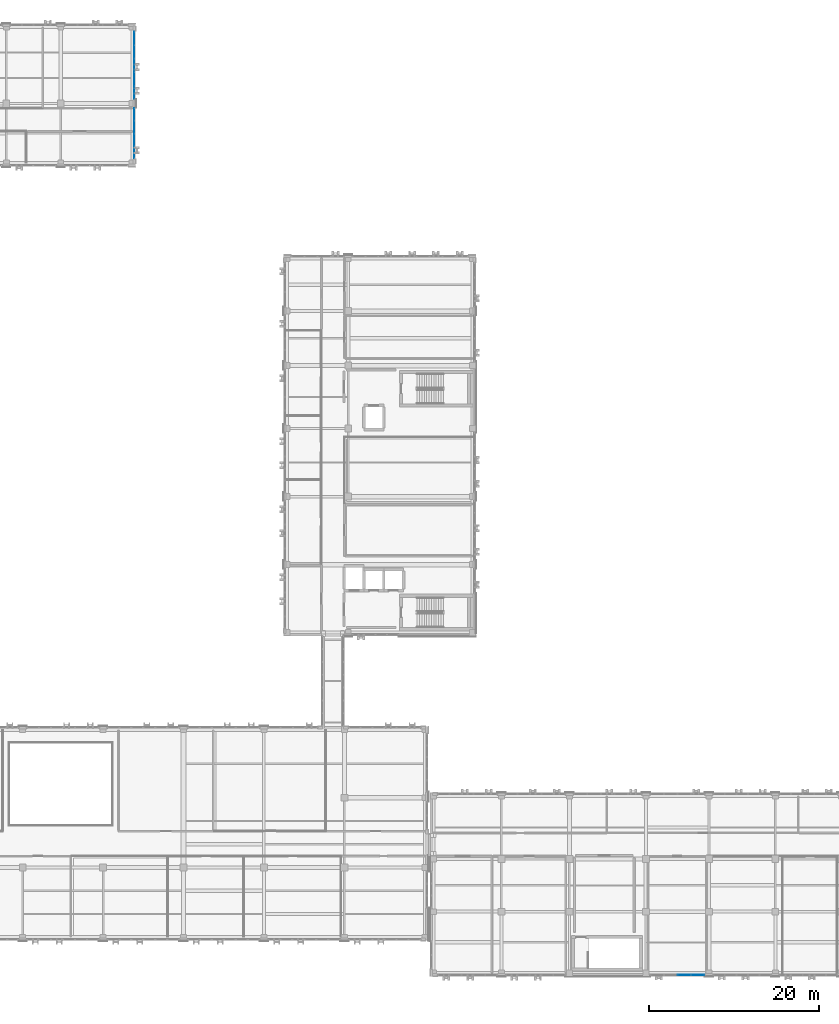
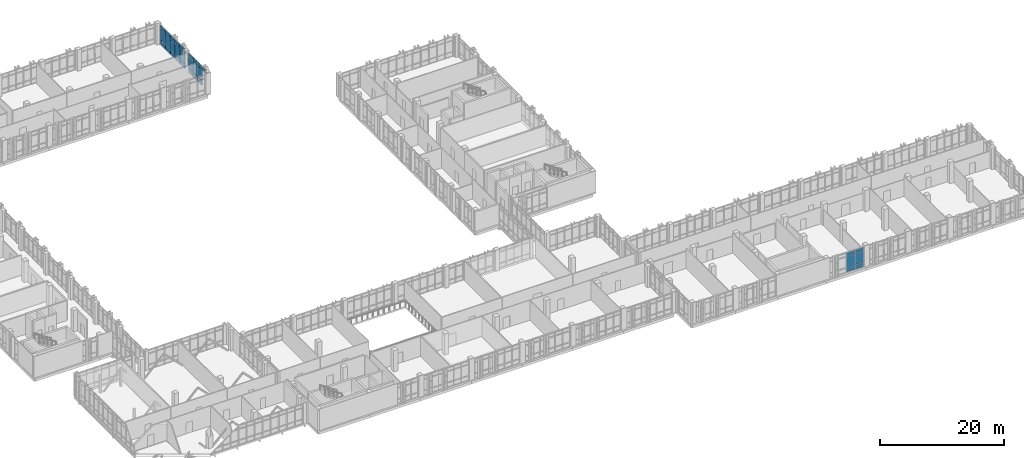
# One storey, part 149 of 193: 31 plates, 3 elements without a shape of their own.
"""IFC4 building model written with IfcOpenShell, lengths in metres."""

from ifc_helpers import new_model, si_unit, direction, frame, origin, origin_2d, place, context, subcontext, project, spatial, rectangle, extrude, material, layer, layer_set, type_object, element, aggregate, save


model = new_model("IFC4")

# Units and contexts
model_context = context("Model", 3, precision=1e-05, world=origin(), true_north=direction((0.0, 1.0)))
body_context = subcontext(model_context, "Body", "Model", "MODEL_VIEW")
ifc_project = project(units=[si_unit("LENGTHUNIT", "METRE"), si_unit("AREAUNIT", "SQUARE_METRE"), si_unit("VOLUMEUNIT", "CUBIC_METRE"), si_unit("PLANEANGLEUNIT", "RADIAN"), si_unit("MASSUNIT", "GRAM", prefix="KILO")], contexts=[model_context])

# Site, building, storey
site_placement = place(None, origin())
site = spatial("IfcSite", under=ifc_project, at=site_placement, CompositionType="ELEMENT")
building_placement = place(site_placement, origin())
building = spatial("IfcBuilding", under=site, at=building_placement, Name="Qalavern Law Courts", CompositionType="ELEMENT")
storey_placement = place(building_placement, frame((0.0, 0.0, 10.199951171875)))
storey = spatial("IfcBuildingStorey", under=building, at=storey_placement, Name="L02", CompositionType="ELEMENT", Elevation=10.199951171875)

# Curtain wall, plates
ifc_material_1 = material(Name="Anodised aluminium and insulated glazing", Category="aluminium")
ifc_layer_1 = layer(ifc_material_1, 0.172119140625)
ifc_layer_set_1 = layer_set([ifc_layer_1], Name="Anodised aluminium and insulated glazing")
curtain_wall_type_1 = type_object("IfcCurtainWallType", Name="ENV-CW-COURT", PredefinedType="USERDEFINED", material=ifc_layer_set_1)
curtain_wall_1_placement = place(storey_placement, origin())
curtain_wall_1 = element("IfcCurtainWall", 1, at=curtain_wall_1_placement, inside=storey, type_object=curtain_wall_type_1, Name="V6 unitised curtain wall L02 south 3", ObjectType="UNITISED CURTAIN WALL", PredefinedType="USERDEFINED")
ifc_material_2 = material(Name="Insulated low-E acoustic glazing", Category="glass")
ifc_layer_2 = layer(ifc_material_2, 0.02392578125)
ifc_layer_set_2 = layer_set([ifc_layer_2], Name="Insulated low-E acoustic glazing")
plate_type_1 = type_object("IfcPlateType", Name="ENV-CWP-24", PredefinedType="CURTAIN_PANEL", material=ifc_layer_set_2)
plate_1_placement = place(storey_placement, frame((131.300048828125, 1.155029296875, 0.048095703125), z_axis=(0.0, 0.0, 1.0), x_axis=(1.0, 0.0, 0.0)))
plate_1 = element("IfcPlate", 2, at=plate_1_placement, type_object=plate_type_1, Name="CW-03 panel 3.1", PredefinedType="CURTAIN_PANEL", context=body_context, shape_type="SweptSolid", body=[
    extrude(rectangle(XDim=1.552001953125, YDim=0.02392578125, at=origin_2d()), origin(), (0.0, 0.0, 1.0), 0.8779296875),
])
plate_2_placement = place(storey_placement, frame((131.300048828125, 1.155029296875, 0.97412109375), z_axis=(0.0, 0.0, 1.0), x_axis=(1.0, 0.0, 0.0)))
plate_2 = element("IfcPlate", 3, at=plate_2_placement, type_object=plate_type_1, Name="CW-03 panel 3.2", PredefinedType="CURTAIN_PANEL", context=body_context, shape_type="SweptSolid", body=[
    extrude(rectangle(XDim=1.552001953125, YDim=0.02392578125, at=origin_2d()), origin(), (0.0, 0.0, 1.0), 2.1669921875),
])
plate_3_placement = place(storey_placement, frame((131.300048828125, 1.155029296875, 3.18896484375), z_axis=(0.0, 0.0, 1.0), x_axis=(1.0, 0.0, 0.0)))
plate_3 = element("IfcPlate", 4, at=plate_3_placement, type_object=plate_type_1, Name="CW-03 panel 3.3", PredefinedType="CURTAIN_PANEL", context=body_context, shape_type="SweptSolid", body=[
    extrude(rectangle(XDim=1.552001953125, YDim=0.02392578125, at=origin_2d()), origin(), (0.0, 0.0, 1.0), 0.677978515625),
])
plate_4_placement = place(storey_placement, frame((132.887939453125, 1.155029296875, 0.048095703125), z_axis=(0.0, 0.0, 1.0), x_axis=(1.0, 0.0, 0.0)))
plate_4 = element("IfcPlate", 5, at=plate_4_placement, type_object=plate_type_1, Name="CW-03 panel 4.1", PredefinedType="CURTAIN_PANEL", context=body_context, shape_type="SweptSolid", body=[
    extrude(rectangle(XDim=1.528076171875, YDim=0.02392578125, at=origin_2d()), origin(), (0.0, 0.0, 1.0), 0.8779296875),
])
plate_5_placement = place(storey_placement, frame((132.887939453125, 1.155029296875, 0.97412109375), z_axis=(0.0, 0.0, 1.0), x_axis=(1.0, 0.0, 0.0)))
plate_5 = element("IfcPlate", 6, at=plate_5_placement, type_object=plate_type_1, Name="CW-03 panel 4.2", PredefinedType="CURTAIN_PANEL", context=body_context, shape_type="SweptSolid", body=[
    extrude(rectangle(XDim=1.528076171875, YDim=0.02392578125, at=origin_2d()), origin(), (0.0, 0.0, 1.0), 2.1669921875),
])
plate_6_placement = place(storey_placement, frame((132.887939453125, 1.155029296875, 3.18896484375), z_axis=(0.0, 0.0, 1.0), x_axis=(1.0, 0.0, 0.0)))
plate_6 = element("IfcPlate", 7, at=plate_6_placement, type_object=plate_type_1, Name="CW-03 panel 4.3", PredefinedType="CURTAIN_PANEL", context=body_context, shape_type="SweptSolid", body=[
    extrude(rectangle(XDim=1.528076171875, YDim=0.02392578125, at=origin_2d()), origin(), (0.0, 0.0, 1.0), 0.677978515625),
])
aggregate(curtain_wall_1, [plate_1, plate_2, plate_3, plate_4, plate_5, plate_6])

ifc_layer_3 = layer(ifc_material_1, 0.166015625)
ifc_layer_set_3 = layer_set([ifc_layer_3], Name="Anodised aluminium and insulated glazing")
curtain_wall_type_2 = type_object("IfcCurtainWallType", Name="ENV-CW-LIB", PredefinedType="USERDEFINED", material=ifc_layer_set_3)
curtain_wall_2_placement = place(storey_placement, origin())
curtain_wall_2 = element("IfcCurtainWall", 8, at=curtain_wall_2_placement, inside=storey, type_object=curtain_wall_type_2, Name="V5 unitised curtain wall L02 east 1", ObjectType="UNITISED CURTAIN WALL", PredefinedType="USERDEFINED")
ifc_layer_4 = layer(ifc_material_2, 0.048095703125)
ifc_layer_set_4 = layer_set([ifc_layer_4], Name="Insulated low-E acoustic glazing")
plate_type_2 = type_object("IfcPlateType", Name="ENV-CWP-48", PredefinedType="CURTAIN_PANEL", material=ifc_layer_set_4)
plate_7_placement = place(storey_placement, frame((66.64501953125, 97.862060546875, 3.18896484375), z_axis=(0.0, 0.0, 1.0), x_axis=(0.0, 1.0, 0.0)))
plate_7 = element("IfcPlate", 9, at=plate_7_placement, type_object=plate_type_2, Name="CW-05 panel 1.3", PredefinedType="CURTAIN_PANEL", context=body_context, shape_type="SweptSolid", body=[
    extrude(rectangle(XDim=1.427978515625, YDim=0.048095703125, at=origin_2d()), origin(), (0.0, 0.0, 1.0), 0.677978515625),
])
plate_8_placement = place(storey_placement, frame((66.64501953125, 99.35009765625, 0.048095703125), z_axis=(0.0, 0.0, 1.0), x_axis=(0.0, 1.0, 0.0)))
plate_8 = element("IfcPlate", 10, at=plate_8_placement, type_object=plate_type_2, Name="CW-05 panel 2.1", PredefinedType="CURTAIN_PANEL", context=body_context, shape_type="SweptSolid", body=[
    extrude(rectangle(XDim=1.451904296875, YDim=0.048095703125, at=origin_2d()), origin(), (0.0, 0.0, 1.0), 0.8779296875),
])
plate_9_placement = place(storey_placement, frame((66.64501953125, 99.35009765625, 0.97412109375), z_axis=(0.0, 0.0, 1.0), x_axis=(0.0, 1.0, 0.0)))
plate_9 = element("IfcPlate", 11, at=plate_9_placement, type_object=plate_type_2, Name="CW-05 panel 2.2", PredefinedType="CURTAIN_PANEL", context=body_context, shape_type="SweptSolid", body=[
    extrude(rectangle(XDim=1.451904296875, YDim=0.048095703125, at=origin_2d()), origin(), (0.0, 0.0, 1.0), 2.1669921875),
])
plate_10_placement = place(storey_placement, frame((66.64501953125, 99.35009765625, 3.18896484375), z_axis=(0.0, 0.0, 1.0), x_axis=(0.0, 1.0, 0.0)))
plate_10 = element("IfcPlate", 12, at=plate_10_placement, type_object=plate_type_2, Name="CW-05 panel 2.3", PredefinedType="CURTAIN_PANEL", context=body_context, shape_type="SweptSolid", body=[
    extrude(rectangle(XDim=1.451904296875, YDim=0.048095703125, at=origin_2d()), origin(), (0.0, 0.0, 1.0), 0.677978515625),
])
plate_11_placement = place(storey_placement, frame((66.64501953125, 100.85009765625, 0.048095703125), z_axis=(0.0, 0.0, 1.0), x_axis=(0.0, 1.0, 0.0)))
plate_11 = element("IfcPlate", 13, at=plate_11_placement, type_object=plate_type_2, Name="CW-05 panel 3.1", PredefinedType="CURTAIN_PANEL", context=body_context, shape_type="SweptSolid", body=[
    extrude(rectangle(XDim=1.451904296875, YDim=0.048095703125, at=origin_2d()), origin(), (0.0, 0.0, 1.0), 0.8779296875),
])
plate_12_placement = place(storey_placement, frame((66.64501953125, 100.85009765625, 0.97412109375), z_axis=(0.0, 0.0, 1.0), x_axis=(0.0, 1.0, 0.0)))
plate_12 = element("IfcPlate", 14, at=plate_12_placement, type_object=plate_type_2, Name="CW-05 panel 3.2", PredefinedType="CURTAIN_PANEL", context=body_context, shape_type="SweptSolid", body=[
    extrude(rectangle(XDim=1.451904296875, YDim=0.048095703125, at=origin_2d()), origin(), (0.0, 0.0, 1.0), 2.1669921875),
])
plate_13_placement = place(storey_placement, frame((66.64501953125, 100.85009765625, 3.18896484375), z_axis=(0.0, 0.0, 1.0), x_axis=(0.0, 1.0, 0.0)))
plate_13 = element("IfcPlate", 15, at=plate_13_placement, type_object=plate_type_2, Name="CW-05 panel 3.3", PredefinedType="CURTAIN_PANEL", context=body_context, shape_type="SweptSolid", body=[
    extrude(rectangle(XDim=1.451904296875, YDim=0.048095703125, at=origin_2d()), origin(), (0.0, 0.0, 1.0), 0.677978515625),
])
plate_14_placement = place(storey_placement, frame((66.64501953125, 102.337890625, 0.048095703125), z_axis=(0.0, 0.0, 1.0), x_axis=(0.0, 1.0, 0.0)))
plate_14 = element("IfcPlate", 16, at=plate_14_placement, type_object=plate_type_2, Name="CW-05 panel 4.1", PredefinedType="CURTAIN_PANEL", context=body_context, shape_type="SweptSolid", body=[
    extrude(rectangle(XDim=1.427978515625, YDim=0.048095703125, at=origin_2d()), origin(), (0.0, 0.0, 1.0), 0.8779296875),
])
plate_15_placement = place(storey_placement, frame((66.64501953125, 102.337890625, 0.97412109375), z_axis=(0.0, 0.0, 1.0), x_axis=(0.0, 1.0, 0.0)))
plate_15 = element("IfcPlate", 17, at=plate_15_placement, type_object=plate_type_2, Name="CW-05 panel 4.2", PredefinedType="CURTAIN_PANEL", context=body_context, shape_type="SweptSolid", body=[
    extrude(rectangle(XDim=1.427978515625, YDim=0.048095703125, at=origin_2d()), origin(), (0.0, 0.0, 1.0), 2.1669921875),
])
plate_16_placement = place(storey_placement, frame((66.64501953125, 102.337890625, 3.18896484375), z_axis=(0.0, 0.0, 1.0), x_axis=(0.0, 1.0, 0.0)))
plate_16 = element("IfcPlate", 18, at=plate_16_placement, type_object=plate_type_2, Name="CW-05 panel 4.3", PredefinedType="CURTAIN_PANEL", context=body_context, shape_type="SweptSolid", body=[
    extrude(rectangle(XDim=1.427978515625, YDim=0.048095703125, at=origin_2d()), origin(), (0.0, 0.0, 1.0), 0.677978515625),
])
aggregate(curtain_wall_2, [plate_7, plate_8, plate_9, plate_10, plate_11, plate_12, plate_13, plate_14, plate_15, plate_16])

curtain_wall_3_placement = place(storey_placement, origin())
curtain_wall_3 = element("IfcCurtainWall", 19, at=curtain_wall_3_placement, inside=storey, type_object=curtain_wall_type_2, Name="V5 unitised curtain wall L02 east 2", ObjectType="UNITISED CURTAIN WALL", PredefinedType="USERDEFINED")
ifc_layer_5 = layer(ifc_material_2, 0.052001953125)
ifc_layer_set_5 = layer_set([ifc_layer_5], Name="Insulated low-E acoustic glazing")
plate_type_3 = type_object("IfcPlateType", Name="ENV-CWP-52", PredefinedType="CURTAIN_PANEL", material=ifc_layer_set_5)
plate_17_placement = place(storey_placement, frame((66.64501953125, 104.912109375, 0.048095703125), z_axis=(0.0, 0.0, 1.0), x_axis=(0.0, 1.0, 0.0)))
plate_17 = element("IfcPlate", 20, at=plate_17_placement, type_object=plate_type_3, Name="CW-05 panel 1.1", PredefinedType="CURTAIN_PANEL", context=body_context, shape_type="SweptSolid", body=[
    extrude(rectangle(XDim=1.528076171875, YDim=0.052001953125, at=origin_2d()), origin(), (0.0, 0.0, 1.0), 0.8779296875),
])
plate_18_placement = place(storey_placement, frame((66.64501953125, 104.912109375, 0.97412109375), z_axis=(0.0, 0.0, 1.0), x_axis=(0.0, 1.0, 0.0)))
plate_18 = element("IfcPlate", 21, at=plate_18_placement, type_object=plate_type_3, Name="CW-05 panel 1.2", PredefinedType="CURTAIN_PANEL", context=body_context, shape_type="SweptSolid", body=[
    extrude(rectangle(XDim=1.528076171875, YDim=0.052001953125, at=origin_2d()), origin(), (0.0, 0.0, 1.0), 2.1669921875),
])
plate_19_placement = place(storey_placement, frame((66.64501953125, 104.912109375, 3.18896484375), z_axis=(0.0, 0.0, 1.0), x_axis=(0.0, 1.0, 0.0)))
plate_19 = element("IfcPlate", 22, at=plate_19_placement, type_object=plate_type_3, Name="CW-05 panel 1.3", PredefinedType="CURTAIN_PANEL", context=body_context, shape_type="SweptSolid", body=[
    extrude(rectangle(XDim=1.528076171875, YDim=0.052001953125, at=origin_2d()), origin(), (0.0, 0.0, 1.0), 0.677978515625),
])
plate_20_placement = place(storey_placement, frame((66.64501953125, 106.5, 0.048095703125), z_axis=(0.0, 0.0, 1.0), x_axis=(0.0, 1.0, 0.0)))
plate_20 = element("IfcPlate", 23, at=plate_20_placement, type_object=plate_type_3, Name="CW-05 panel 2.1", PredefinedType="CURTAIN_PANEL", context=body_context, shape_type="SweptSolid", body=[
    extrude(rectangle(XDim=1.552001953125, YDim=0.052001953125, at=origin_2d()), origin(), (0.0, 0.0, 1.0), 0.8779296875),
])
plate_21_placement = place(storey_placement, frame((66.64501953125, 106.5, 0.97412109375), z_axis=(0.0, 0.0, 1.0), x_axis=(0.0, 1.0, 0.0)))
plate_21 = element("IfcPlate", 24, at=plate_21_placement, type_object=plate_type_3, Name="CW-05 panel 2.2", PredefinedType="CURTAIN_PANEL", context=body_context, shape_type="SweptSolid", body=[
    extrude(rectangle(XDim=1.552001953125, YDim=0.052001953125, at=origin_2d()), origin(), (0.0, 0.0, 1.0), 2.1669921875),
])
plate_22_placement = place(storey_placement, frame((66.64501953125, 106.5, 3.18896484375), z_axis=(0.0, 0.0, 1.0), x_axis=(0.0, 1.0, 0.0)))
plate_22 = element("IfcPlate", 25, at=plate_22_placement, type_object=plate_type_3, Name="CW-05 panel 2.3", PredefinedType="CURTAIN_PANEL", context=body_context, shape_type="SweptSolid", body=[
    extrude(rectangle(XDim=1.552001953125, YDim=0.052001953125, at=origin_2d()), origin(), (0.0, 0.0, 1.0), 0.677978515625),
])
plate_23_placement = place(storey_placement, frame((66.64501953125, 108.10009765625, 0.048095703125), z_axis=(0.0, 0.0, 1.0), x_axis=(0.0, 1.0, 0.0)))
plate_23 = element("IfcPlate", 26, at=plate_23_placement, type_object=plate_type_3, Name="CW-05 panel 3.1", PredefinedType="CURTAIN_PANEL", context=body_context, shape_type="SweptSolid", body=[
    extrude(rectangle(XDim=1.552001953125, YDim=0.052001953125, at=origin_2d()), origin(), (0.0, 0.0, 1.0), 0.8779296875),
])
plate_24_placement = place(storey_placement, frame((66.64501953125, 108.10009765625, 0.97412109375), z_axis=(0.0, 0.0, 1.0), x_axis=(0.0, 1.0, 0.0)))
plate_24 = element("IfcPlate", 27, at=plate_24_placement, type_object=plate_type_3, Name="CW-05 panel 3.2", PredefinedType="CURTAIN_PANEL", context=body_context, shape_type="SweptSolid", body=[
    extrude(rectangle(XDim=1.552001953125, YDim=0.052001953125, at=origin_2d()), origin(), (0.0, 0.0, 1.0), 2.1669921875),
])
plate_25_placement = place(storey_placement, frame((66.64501953125, 108.10009765625, 3.18896484375), z_axis=(0.0, 0.0, 1.0), x_axis=(0.0, 1.0, 0.0)))
plate_25 = element("IfcPlate", 28, at=plate_25_placement, type_object=plate_type_3, Name="CW-05 panel 3.3", PredefinedType="CURTAIN_PANEL", context=body_context, shape_type="SweptSolid", body=[
    extrude(rectangle(XDim=1.552001953125, YDim=0.052001953125, at=origin_2d()), origin(), (0.0, 0.0, 1.0), 0.677978515625),
])
plate_26_placement = place(storey_placement, frame((66.64501953125, 109.699951171875, 0.048095703125), z_axis=(0.0, 0.0, 1.0), x_axis=(0.0, 1.0, 0.0)))
plate_26 = element("IfcPlate", 29, at=plate_26_placement, type_object=plate_type_3, Name="CW-05 panel 4.1", PredefinedType="CURTAIN_PANEL", context=body_context, shape_type="SweptSolid", body=[
    extrude(rectangle(XDim=1.552001953125, YDim=0.052001953125, at=origin_2d()), origin(), (0.0, 0.0, 1.0), 0.8779296875),
])
plate_27_placement = place(storey_placement, frame((66.64501953125, 109.699951171875, 0.97412109375), z_axis=(0.0, 0.0, 1.0), x_axis=(0.0, 1.0, 0.0)))
plate_27 = element("IfcPlate", 30, at=plate_27_placement, type_object=plate_type_3, Name="CW-05 panel 4.2", PredefinedType="CURTAIN_PANEL", context=body_context, shape_type="SweptSolid", body=[
    extrude(rectangle(XDim=1.552001953125, YDim=0.052001953125, at=origin_2d()), origin(), (0.0, 0.0, 1.0), 2.1669921875),
])
plate_28_placement = place(storey_placement, frame((66.64501953125, 109.699951171875, 3.18896484375), z_axis=(0.0, 0.0, 1.0), x_axis=(0.0, 1.0, 0.0)))
plate_28 = element("IfcPlate", 31, at=plate_28_placement, type_object=plate_type_3, Name="CW-05 panel 4.3", PredefinedType="CURTAIN_PANEL", context=body_context, shape_type="SweptSolid", body=[
    extrude(rectangle(XDim=1.552001953125, YDim=0.052001953125, at=origin_2d()), origin(), (0.0, 0.0, 1.0), 0.677978515625),
])
plate_29_placement = place(storey_placement, frame((66.64501953125, 111.2880859375, 0.048095703125), z_axis=(0.0, 0.0, 1.0), x_axis=(0.0, 1.0, 0.0)))
plate_29 = element("IfcPlate", 32, at=plate_29_placement, type_object=plate_type_3, Name="CW-05 panel 5.1", PredefinedType="CURTAIN_PANEL", context=body_context, shape_type="SweptSolid", body=[
    extrude(rectangle(XDim=1.528076171875, YDim=0.052001953125, at=origin_2d()), origin(), (0.0, 0.0, 1.0), 0.8779296875),
])
plate_30_placement = place(storey_placement, frame((66.64501953125, 111.2880859375, 0.97412109375), z_axis=(0.0, 0.0, 1.0), x_axis=(0.0, 1.0, 0.0)))
plate_30 = element("IfcPlate", 33, at=plate_30_placement, type_object=plate_type_3, Name="CW-05 panel 5.2", PredefinedType="CURTAIN_PANEL", context=body_context, shape_type="SweptSolid", body=[
    extrude(rectangle(XDim=1.528076171875, YDim=0.052001953125, at=origin_2d()), origin(), (0.0, 0.0, 1.0), 2.1669921875),
])
plate_31_placement = place(storey_placement, frame((66.64501953125, 111.2880859375, 3.18896484375), z_axis=(0.0, 0.0, 1.0), x_axis=(0.0, 1.0, 0.0)))
plate_31 = element("IfcPlate", 34, at=plate_31_placement, type_object=plate_type_3, Name="CW-05 panel 5.3", PredefinedType="CURTAIN_PANEL", context=body_context, shape_type="SweptSolid", body=[
    extrude(rectangle(XDim=1.528076171875, YDim=0.052001953125, at=origin_2d()), origin(), (0.0, 0.0, 1.0), 0.677978515625),
])
aggregate(curtain_wall_3, [plate_17, plate_18, plate_19, plate_20, plate_21, plate_22, plate_23, plate_24, plate_25, plate_26, plate_27, plate_28, plate_29, plate_30, plate_31])

save(model, "model.ifc")
